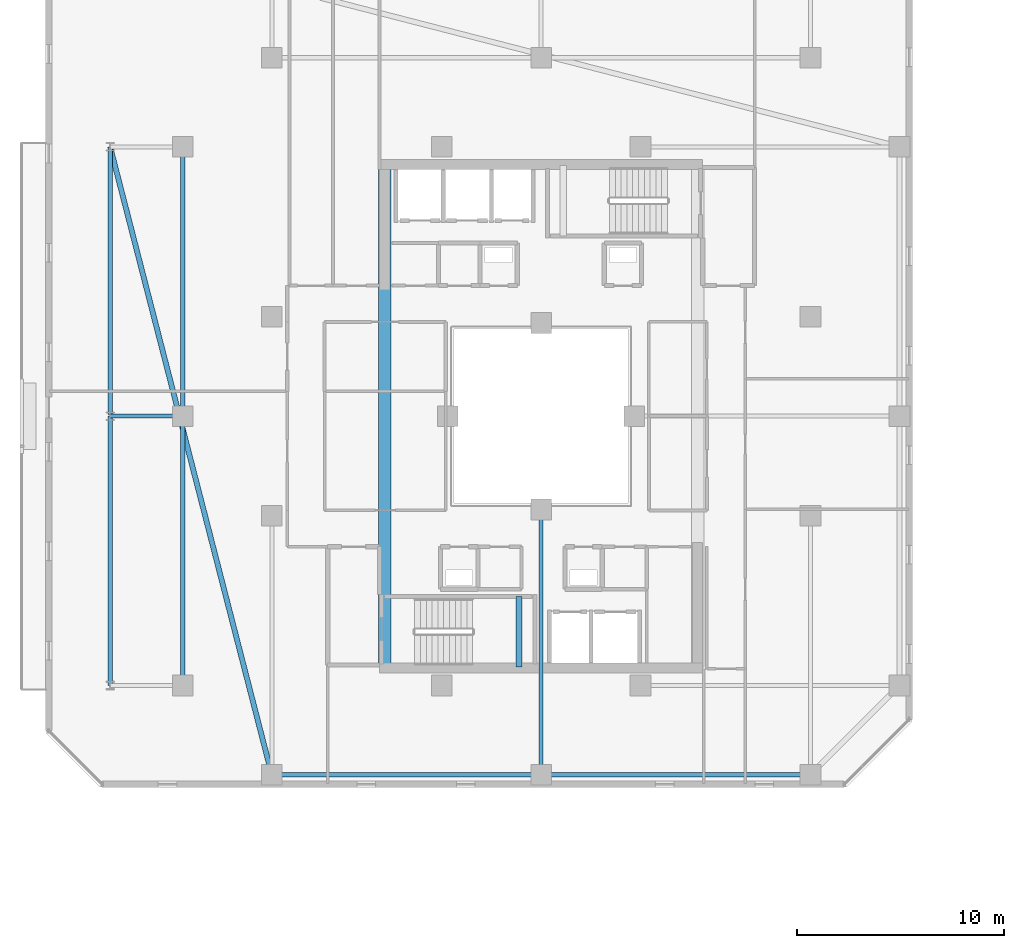
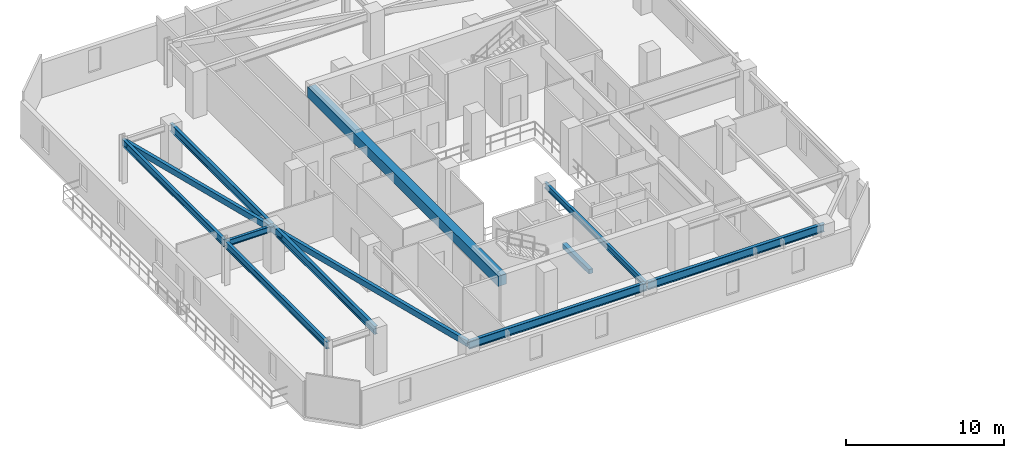
# One storey, part 4 of 33: 11 beams.
"""IFC4 building model written with IfcOpenShell, lengths in metres."""

from ifc_helpers import new_model, si_unit, direction, frame, origin, origin_2d, place, context, subcontext, project, spatial, rectangle, hollow_rectangle, i_section, extrude, material, material_profile, profile_set, type_object, element, save


model = new_model("IFC4")

# Units and contexts
model_context = context("Model", 3, precision=1e-05, world=origin(), true_north=direction((0.0, 1.0)))
body_context = subcontext(model_context, "Body", "Model", "MODEL_VIEW")
ifc_project = project(units=[si_unit("LENGTHUNIT", "METRE"), si_unit("AREAUNIT", "SQUARE_METRE"), si_unit("VOLUMEUNIT", "CUBIC_METRE"), si_unit("PLANEANGLEUNIT", "RADIAN"), si_unit("MASSUNIT", "GRAM", prefix="KILO")], contexts=[model_context])

# Site, building, storey
site_placement = place(None, origin())
site = spatial("IfcSite", under=ifc_project, at=site_placement, CompositionType="ELEMENT")
building_placement = place(site_placement, origin())
building = spatial("IfcBuilding", under=site, at=building_placement, Name="Thornwick Lancets Civic Towers", CompositionType="ELEMENT")
storey_placement = place(building_placement, frame((0.0, 0.0, 214.5)))
storey = spatial("IfcBuildingStorey", under=building, at=storey_placement, Name="L57", CompositionType="ELEMENT", Elevation=214.5)

# Beams
ifc_material_1 = material(Name="Concrete C60/75", Category="concrete")
ifc_material_profile_1 = material_profile(ifc_material_1, rectangle(XDim=0.60009765625, YDim=0.800048828125, at=origin_2d()), Name="RC 600x800")
ifc_profile_set_1 = profile_set([ifc_material_profile_1], Name="Concrete C60/75")
beam_type_1 = type_object("IfcBeamType", Name="BM_COUP_RC800", PredefinedType="BEAM", material=ifc_profile_set_1)
beam_1_placement = place(storey_placement, frame((17.949951171875, 14.89990234375, 2.9599609375), z_axis=(0.0, 1.0, 0.0), x_axis=(-1.0, 0.0, 0.0)))
element("IfcBeam", 1, at=beam_1_placement, inside=storey, type_object=beam_type_1, Name="CB-L57-A2", PredefinedType="BEAM", context=body_context, shape_type="SweptSolid", body=[
    extrude(rectangle(XDim=0.60009765625, YDim=0.800048828125, at=origin_2d()), origin(), (0.0, 0.0, 1.0), 24.2001953125),
])
ifc_material_2 = material(Name="Steel S355JR", Category="steel")
ifc_material_profile_2 = material_profile(ifc_material_2, i_section(OverallWidth=0.210693359375, OverallDepth=0.53955078125, WebThickness=0.01171875, FlangeThickness=0.018798828125, FilletRadius=0.0126953125, at=origin_2d()), Name="UKB 533x210x109")
ifc_profile_set_2 = profile_set([ifc_material_profile_2], Name="Steel S355JR")
beam_type_2 = type_object("IfcBeamType", Name="BM_EDGE_533_109", PredefinedType="SPANDREL", material=ifc_profile_set_2)
beam_2_placement = place(storey_placement, frame((4.699951171875, 14.0, 3.09033203125), z_axis=(0.0, 1.0, 0.0), x_axis=(-1.0, 0.0, 0.0)))
element("IfcBeam", 2, at=beam_2_placement, inside=storey, type_object=beam_type_2, Name="BM-EDGE-L57-A-S3-1", PredefinedType="SPANDREL", context=body_context, shape_type="SweptSolid", body=[
    extrude(i_section(OverallWidth=0.210693359375, OverallDepth=0.53955078125, WebThickness=0.01171875, FlangeThickness=0.018798828125, FilletRadius=0.0126953125, at=origin_2d()), origin(), (0.0, 0.0, 1.0), 13.0),
])
beam_3_placement = place(storey_placement, frame((4.699951171875, 27.080078125, 3.09033203125), z_axis=(0.0, 1.0, 0.0), x_axis=(-1.0, 0.0, 0.0)))
element("IfcBeam", 3, at=beam_3_placement, inside=storey, type_object=beam_type_2, Name="BM-EDGE-L57-A-S3-2", PredefinedType="SPANDREL", context=body_context, shape_type="SweptSolid", body=[
    extrude(i_section(OverallWidth=0.210693359375, OverallDepth=0.53955078125, WebThickness=0.01171875, FlangeThickness=0.018798828125, FilletRadius=0.0126953125, at=origin_2d()), origin(), (0.0, 0.0, 1.0), 12.919921875),
])
ifc_material_profile_3 = material_profile(ifc_material_2, i_section(OverallWidth=0.230224609375, OverallDepth=0.6171875, WebThickness=0.01318359375, FlangeThickness=0.022216796875, FilletRadius=0.0126953125, at=origin_2d()), Name="UKB 610x229x140")
ifc_profile_set_3 = profile_set([ifc_material_profile_3], Name="Steel S355JR")
beam_type_3 = type_object("IfcBeamType", Name="BM_GIRD_610_140", PredefinedType="BEAM", material=ifc_profile_set_3)
beam_4_placement = place(storey_placement, frame((12.5, 9.699951171875, 3.051513671875), z_axis=(1.0, 0.0, 0.0), x_axis=(0.0, 1.0, 0.0)))
element("IfcBeam", 4, at=beam_4_placement, inside=storey, type_object=beam_type_3, Name="BM-SPINE-L57-A-0-1", PredefinedType="BEAM", context=body_context, shape_type="SweptSolid", body=[
    extrude(i_section(OverallWidth=0.230224609375, OverallDepth=0.6171875, WebThickness=0.01318359375, FlangeThickness=0.022216796875, FilletRadius=0.0126953125, at=origin_2d()), origin(), (0.0, 0.0, 1.0), 13.0),
])
beam_5_placement = place(storey_placement, frame((25.580078125, 9.699951171875, 3.051513671875), z_axis=(1.0, 0.0, 0.0), x_axis=(0.0, 1.0, 0.0)))
element("IfcBeam", 5, at=beam_5_placement, inside=storey, type_object=beam_type_3, Name="BM-SPINE-L57-A-1-2", PredefinedType="BEAM", context=body_context, shape_type="SweptSolid", body=[
    extrude(i_section(OverallWidth=0.230224609375, OverallDepth=0.6171875, WebThickness=0.01318359375, FlangeThickness=0.022216796875, FilletRadius=0.0126953125, at=origin_2d()), origin(), (0.0, 0.0, 1.0), 12.919921875),
])
beam_6_placement = place(storey_placement, frame((8.199951171875, 14.0, 3.051513671875), z_axis=(0.0, 1.0, 0.0), x_axis=(-1.0, 0.0, 0.0)))
element("IfcBeam", 6, at=beam_6_placement, inside=storey, type_object=beam_type_3, Name="BM-SPINE-L57-A-9-10", PredefinedType="BEAM", context=body_context, shape_type="SweptSolid", body=[
    extrude(i_section(OverallWidth=0.230224609375, OverallDepth=0.6171875, WebThickness=0.01318359375, FlangeThickness=0.022216796875, FilletRadius=0.0126953125, at=origin_2d()), origin(), (0.0, 0.0, 1.0), 13.0),
])
beam_7_placement = place(storey_placement, frame((8.199951171875, 27.080078125, 3.051513671875), z_axis=(0.0, 1.0, 0.0), x_axis=(-1.0, 0.0, 0.0)))
element("IfcBeam", 7, at=beam_7_placement, inside=storey, type_object=beam_type_3, Name="BM-SPINE-L57-A-10-11", PredefinedType="BEAM", context=body_context, shape_type="SweptSolid", body=[
    extrude(i_section(OverallWidth=0.230224609375, OverallDepth=0.6171875, WebThickness=0.01318359375, FlangeThickness=0.022216796875, FilletRadius=0.0126953125, at=origin_2d()), origin(), (0.0, 0.0, 1.0), 12.919921875),
])
ifc_material_profile_4 = material_profile(ifc_material_2, i_section(OverallWidth=0.19287109375, OverallDepth=0.46728515625, WebThickness=0.011474609375, FlangeThickness=0.01953125, FilletRadius=0.01025390625, at=origin_2d()), Name="UKB 457x191x98")
ifc_profile_set_4 = profile_set([ifc_material_profile_4], Name="Steel S355JR")
beam_type_4 = type_object("IfcBeamType", Name="BM_JOIST_457_98", PredefinedType="JOIST", material=ifc_profile_set_4)
beam_8_placement = place(storey_placement, frame((25.5, 22.5, 3.12646484375), z_axis=(0.0, -1.0, 0.0), x_axis=(1.0, 0.0, 0.0)))
element("IfcBeam", 8, at=beam_8_placement, inside=storey, type_object=beam_type_4, Name="BM-RADIN-L57-A02", PredefinedType="JOIST", context=body_context, shape_type="SweptSolid", body=[
    extrude(i_section(OverallWidth=0.19287109375, OverallDepth=0.46728515625, WebThickness=0.011474609375, FlangeThickness=0.01953125, FilletRadius=0.01025390625, at=origin_2d()), origin(), (0.0, 0.0, 1.0), 12.800048828125),
])
beam_9_placement = place(storey_placement, frame((8.199951171875, 27.0, 3.12646484375), z_axis=(-1.0, 0.0, 0.0), x_axis=(0.0, -1.0, 0.0)))
element("IfcBeam", 9, at=beam_9_placement, inside=storey, type_object=beam_type_4, Name="BM-RAD-L57-A11", PredefinedType="JOIST", context=body_context, shape_type="SweptSolid", body=[
    extrude(i_section(OverallWidth=0.19287109375, OverallDepth=0.46728515625, WebThickness=0.011474609375, FlangeThickness=0.01953125, FilletRadius=0.01025390625, at=origin_2d()), origin(), (0.0, 0.0, 1.0), 3.5),
])
ifc_material_profile_5 = material_profile(ifc_material_2, hollow_rectangle(XDim=0.25, YDim=0.449951171875, WallThickness=0.01611328125, at=origin_2d()), Name="RHS 450x250x16")
ifc_profile_set_5 = profile_set([ifc_material_profile_5], Name="Steel S355JR")
beam_type_5 = type_object("IfcBeamType", Name="BM_RING_RHS450", PredefinedType="BEAM", material=ifc_profile_set_5)
beam_10_placement = place(storey_placement, frame((4.699951171875, 40.0, 3.135009765625), z_axis=(0.249299080716, -0.96842654257, 0.0), x_axis=(0.96842654257, 0.249299080716, 0.0)))
element("IfcBeam", 10, at=beam_10_placement, inside=storey, type_object=beam_type_5, Name="BM-CHAMF-L57-A-C3", PredefinedType="BEAM", context=body_context, shape_type="SweptSolid", body=[
    extrude(hollow_rectangle(XDim=0.25, YDim=0.449951171875, WallThickness=0.01611328125, at=origin_2d()), origin(), (0.0, 0.0, 1.0), 31.287841796875),
])
ifc_material_3 = material(Name="Concrete C40/50", Category="concrete")
ifc_material_profile_6 = material_profile(ifc_material_3, rectangle(XDim=0.300048828125, YDim=0.35009765625, at=origin_2d()), Name="RC 300x350")
ifc_profile_set_6 = profile_set([ifc_material_profile_6], Name="Concrete C40/50")
beam_type_6 = type_object("IfcBeamType", Name="BM_STAIR_LDG", PredefinedType="BEAM", material=ifc_profile_set_6)
beam_11_placement = place(storey_placement, frame((24.43505859375, 14.89990234375, 1.3779296875), z_axis=(0.0, 1.0, 0.0), x_axis=(-1.0, 0.0, 0.0)))
element("IfcBeam", 11, at=beam_11_placement, inside=storey, type_object=beam_type_6, Name="L57 ST-A1 Landing Support Beam 1", PredefinedType="BEAM", context=body_context, shape_type="SweptSolid", body=[
    extrude(rectangle(XDim=0.300048828125, YDim=0.35009765625, at=origin_2d()), origin(), (0.0, 0.0, 1.0), 3.400146484375),
])

save(model, "model.ifc")
